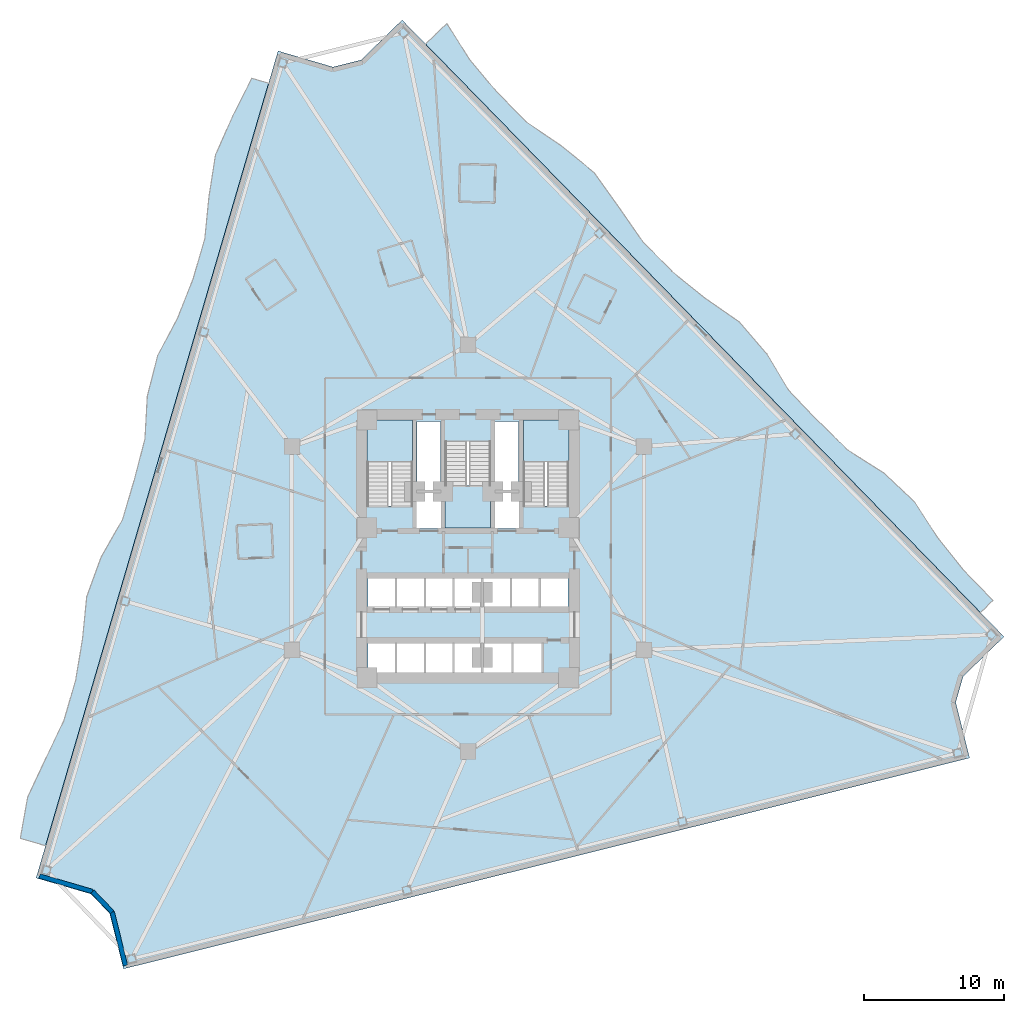
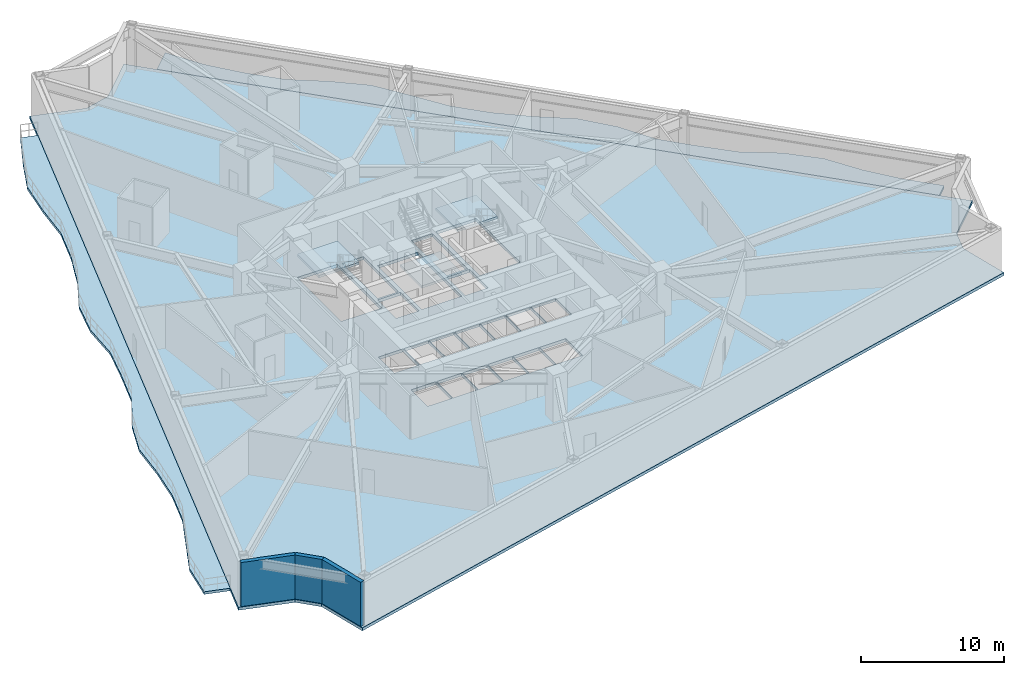
# One storey, part 2 of 9: 6 slabs, 3 walls, 3 elements without a shape of their own.
"""IFC4 building model written with IfcOpenShell, lengths in metres."""

from ifc_helpers import new_model, si_unit, direction, frame, frame_2d, origin, place, context, subcontext, project, spatial, polyline, rectangle, outline, extrude, material, layer, layer_set, type_object, element, aggregate, save


model = new_model("IFC4")

# Units and contexts
model_context = context("Model", 3, precision=1e-05, world=origin(), true_north=direction((0.0, 1.0)))
body_context = subcontext(model_context, "Body", "Model", "MODEL_VIEW")
ifc_project = project(units=[si_unit("LENGTHUNIT", "METRE"), si_unit("AREAUNIT", "SQUARE_METRE"), si_unit("VOLUMEUNIT", "CUBIC_METRE"), si_unit("PLANEANGLEUNIT", "RADIAN"), si_unit("MASSUNIT", "GRAM", prefix="KILO")], contexts=[model_context])

# Site, building, storey
site_placement = place(None, origin())
site = spatial("IfcSite", under=ifc_project, at=site_placement, CompositionType="ELEMENT")
building_placement = place(site_placement, origin())
building = spatial("IfcBuilding", under=site, at=building_placement, Name="Apsidion Concourse Tower", CompositionType="ELEMENT")
storey_placement = place(building_placement, frame((0.0, 0.0, 103.0)))
storey = spatial("IfcBuildingStorey", under=building, at=storey_placement, Name="L23", CompositionType="ELEMENT", Elevation=103.0)

# Slabs
ifc_material_1 = material(Name="Concrete C50/60", Category="concrete")
ifc_layer_1 = layer(ifc_material_1, 0.219970703125)
ifc_layer_set_1 = layer_set([ifc_layer_1], Name="Concrete C50/60")
slab_type_1 = type_object("IfcSlabType", Name="SL-BAL-220", PredefinedType="FLOOR", material=ifc_layer_set_1)
slab_1_placement = place(storey_placement, frame((0.0, 0.0, -0.219970703125)))
element("IfcSlab", 1, at=slab_1_placement, inside=storey, type_object=slab_type_1, Name="L23 Face 3 Rippling Balcony Slab", PredefinedType="FLOOR", context=body_context, shape_type="SweptSolid", body=[
    extrude(outline(polyline([(36.569091796875, -4.591064453125), (34.485595703125, -2.456298828125), (32.402099609375, -0.32177734375), (30.318603515625, 1.81298828125), (28.23486328125, 3.947509765625), (26.1513671875, 6.082275390625), (24.06787109375, 8.216796875), (21.984130859375, 10.3515625), (19.900634765625, 12.486083984375), (17.817138671875, 14.620849609375), (15.733642578125, 16.75537109375), (13.64990234375, 18.89013671875), (11.56640625, 21.024658203125), (9.48291015625, 23.159423828125), (7.3994140625, 25.2939453125), (5.31591796875, 27.4287109375), (3.232177734375, 29.563232421875), (1.148681640625, 31.697998046875), (-0.934814453125, 33.83251953125), (-3.018310546875, 35.96728515625), (-1.505615234375, 37.44384765625), (0.118408203125, 34.860595703125), (2.043212890625, 32.571044921875), (4.126708984375, 30.436279296875), (6.645263671875, 28.726318359375), (8.9716796875, 26.82861328125), (10.732177734375, 24.378662109375), (12.4609375, 21.897705078125), (14.54443359375, 19.76318359375), (16.873779296875, 17.868408203125), (19.365966796875, 16.132568359375), (21.32080078125, 13.872314453125), (22.8955078125, 11.240966796875), (24.96240234375, 9.090087890625), (27.096923828125, 7.00537109375), (29.681640625, 5.35986328125), (31.853759765625, 3.3115234375), (33.5048828125, 0.7548828125), (35.380126953125, -1.583251953125), (37.463623046875, -3.718017578125), (36.569091796875, -4.591064453125)])), origin(), (0.0, 0.0, 1.0), 0.219970703125),
])
slab_2_placement = place(storey_placement, frame((0.0, 0.0, -0.219970703125)))
element("IfcSlab", 2, at=slab_2_placement, inside=storey, type_object=slab_type_1, Name="L23 Face 1 Rippling Balcony Slab", PredefinedType="FLOOR", context=body_context, shape_type="SweptSolid", body=[
    extrude(outline(polyline([(-14.220458984375, 33.17431640625), (-15.05810546875, 30.311279296875), (-15.8955078125, 27.4482421875), (-16.73291015625, 24.58544921875), (-17.570556640625, 21.722412109375), (-18.407958984375, 18.859619140625), (-19.24560546875, 15.99658203125), (-20.0830078125, 13.133544921875), (-20.920654296875, 10.2705078125), (-21.758056640625, 7.40771484375), (-22.595703125, 4.544677734375), (-23.43310546875, 1.681884765625), (-24.2705078125, -1.18115234375), (-25.108154296875, -4.044189453125), (-25.94580078125, -6.906982421875), (-26.783203125, -9.77001953125), (-27.62060546875, -12.633056640625), (-28.458251953125, -15.495849609375), (-29.295654296875, -18.35888671875), (-30.13330078125, -21.2216796875), (-31.930908203125, -20.696044921875), (-31.402587890625, -17.742431640625), (-30.11767578125, -15.010498046875), (-28.8203125, -12.281982421875), (-27.98291015625, -9.419189453125), (-27.49169921875, -6.454833984375), (-27.19091796875, -3.434814453125), (-26.16259765625, -0.627685546875), (-24.64013671875, 2.034912109375), (-23.79541015625, 4.895751953125), (-23.042236328125, 7.783203125), (-22.872314453125, 10.841552734375), (-22.13525390625, 13.73388671875), (-20.7080078125, 16.42431640625), (-19.607666015625, 19.21044921875), (-18.770263671875, 22.073486328125), (-18.470947265625, 25.09375), (-18.0068359375, 28.06591796875), (-16.780517578125, 30.815185546875), (-15.420166015625, 33.525146484375), (-14.220458984375, 33.17431640625)])), origin(), (0.0, 0.0, 1.0), 0.219970703125),
])
ifc_layer_2 = layer(ifc_material_1, 0.25)
ifc_layer_set_2 = layer_set([ifc_layer_2], Name="Concrete C50/60")
slab_type_2 = type_object("IfcSlabType", Name="SL-FLR-250", PredefinedType="FLOOR", material=ifc_layer_set_2)
slab_3_placement = place(storey_placement, frame((0.0, 0.0, -0.25)))
element("IfcSlab", 3, at=slab_3_placement, inside=storey, type_object=slab_type_2, Name="L23 Structural Floor Slab", PredefinedType="FLOOR", context=body_context, shape_type="SweptSolid", body=[
    extrude(outline(polyline([(-4.69482421875, 37.684814453125), (-7.614013671875, 34.83544921875), (-9.63134765625, 34.33251953125), (-13.546630859375, 35.477783203125), (-30.80712890625, -23.525390625), (-26.891845703125, -24.670654296875), (-25.56103515625, -26.055908203125), (-24.57421875, -30.01416015625), (35.78857421875, -14.964111328125), (34.8017578125, -11.005859375), (35.326416015625, -9.15771484375), (38.24560546875, -6.30859375), (-4.69482421875, 37.684814453125)]), holes=[polyline([(-3.949951171875, 3.0), (-3.949951171875, 9.14990234375), (-7.199951171875, 9.14990234375), (-7.199951171875, 3.0), (-3.949951171875, 3.0)]), polyline([(7.199951171875, 3.0), (7.199951171875, 9.14990234375), (3.949951171875, 9.14990234375), (3.949951171875, 3.0), (7.199951171875, 3.0)]), polyline([(-1.625, 7.60009765625), (-1.625, 1.449951171875), (1.625, 1.449951171875), (1.625, 7.60009765625), (-1.625, 7.60009765625)]), polyline([(-7.14501953125, -4.300048828125), (-5.155029296875, -4.300048828125), (-5.155029296875, -2.050048828125), (-7.14501953125, -2.050048828125), (-7.14501953125, -4.300048828125)]), polyline([(-5.094970703125, -4.300048828125), (-3.10498046875, -4.300048828125), (-3.10498046875, -2.050048828125), (-5.094970703125, -2.050048828125), (-5.094970703125, -4.300048828125)]), polyline([(-3.044921875, -4.300048828125), (-1.054931640625, -4.300048828125), (-1.054931640625, -2.050048828125), (-3.044921875, -2.050048828125), (-3.044921875, -4.300048828125)]), polyline([(-0.9951171875, -4.300048828125), (0.9951171875, -4.300048828125), (0.9951171875, -2.050048828125), (-0.9951171875, -2.050048828125), (-0.9951171875, -4.300048828125)]), polyline([(1.054931640625, -4.300048828125), (3.044921875, -4.300048828125), (3.044921875, -2.050048828125), (1.054931640625, -2.050048828125), (1.054931640625, -4.300048828125)]), polyline([(3.10498046875, -4.300048828125), (5.094970703125, -4.300048828125), (5.094970703125, -2.050048828125), (3.10498046875, -2.050048828125), (3.10498046875, -4.300048828125)]), polyline([(5.155029296875, -4.300048828125), (7.14501953125, -4.300048828125), (7.14501953125, -2.050048828125), (5.155029296875, -2.050048828125), (5.155029296875, -4.300048828125)]), polyline([(-7.14501953125, -8.949951171875), (-5.155029296875, -8.949951171875), (-5.155029296875, -6.64990234375), (-7.14501953125, -6.64990234375), (-7.14501953125, -8.949951171875)]), polyline([(-5.094970703125, -8.949951171875), (-3.10498046875, -8.949951171875), (-3.10498046875, -6.64990234375), (-5.094970703125, -6.64990234375), (-5.094970703125, -8.949951171875)]), polyline([(-3.044921875, -8.949951171875), (-1.054931640625, -8.949951171875), (-1.054931640625, -6.64990234375), (-3.044921875, -6.64990234375), (-3.044921875, -8.949951171875)]), polyline([(-0.9951171875, -8.949951171875), (0.9951171875, -8.949951171875), (0.9951171875, -6.64990234375), (-0.9951171875, -6.64990234375), (-0.9951171875, -8.949951171875)]), polyline([(1.044921875, -9.0), (3.155029296875, -9.0), (3.155029296875, -6.64990234375), (1.044921875, -6.64990234375), (1.044921875, -9.0)]), polyline([(3.195068359375, -9.0), (5.304931640625, -9.0), (5.304931640625, -6.64990234375), (3.195068359375, -6.64990234375), (3.195068359375, -9.0)]), polyline([(-3.7099609375, 1.39990234375), (-1.85009765625, 1.39990234375), (-1.85009765625, 4.0), (-3.7099609375, 4.0), (-3.7099609375, 1.39990234375)]), polyline([(1.85009765625, 1.39990234375), (3.7099609375, 1.39990234375), (3.7099609375, 4.0), (1.85009765625, 4.0), (1.85009765625, 1.39990234375)]), polyline([(-3.6201171875, 4.14990234375), (-1.93994140625, 4.14990234375), (-1.93994140625, 9.050048828125), (-3.6201171875, 9.050048828125), (-3.6201171875, 4.14990234375)]), polyline([(1.93994140625, 4.14990234375), (3.6201171875, 4.14990234375), (3.6201171875, 9.050048828125), (1.93994140625, 9.050048828125), (1.93994140625, 4.14990234375)])]), origin(), (0.0, 0.0, 1.0), 0.25),
])

# Stair, slab
ifc_material_2 = material(Name="Precast concrete C40/50", Category="concrete")
stair_type = type_object("IfcStairType", Name="ST-DL-1550", PredefinedType="HALF_TURN_STAIR", material=ifc_material_2)
stair_1_placement = place(storey_placement, origin())
stair_1 = element("IfcStair", 4, at=stair_1_placement, inside=storey, type_object=stair_type, Name="L23 Protected Core Exit Stair ST1", PredefinedType="HALF_TURN_STAIR")
ifc_layer_3 = layer(ifc_material_1, 0.199951171875)
ifc_layer_set_3 = layer_set([ifc_layer_3], Name="Concrete C50/60")
slab_type_3 = type_object("IfcSlabType", Name="SL-ST-LAND-200", PredefinedType="LANDING", material=ifc_layer_set_3)
slab_4_placement = place(storey_placement, frame((0.0, 0.0, 1.800048828125)))
slab_4 = element("IfcSlab", 5, at=slab_4_placement, type_object=slab_type_3, Name="ST1 landing 1", PredefinedType="LANDING", context=body_context, shape_type="SweptSolid", body=[
    extrude(outline(polyline([(-3.949951171875, 6.135009765625), (-3.949951171875, 9.14990234375), (-7.199951171875, 9.14990234375), (-7.199951171875, 6.135009765625), (-3.949951171875, 6.135009765625)])), origin(), (0.0, 0.0, 1.0), 0.199951171875),
])
aggregate(stair_1, [slab_4])

stair_2_placement = place(storey_placement, origin())
stair_2 = element("IfcStair", 6, at=stair_2_placement, inside=storey, type_object=stair_type, Name="L23 Protected Core Exit Stair ST2", PredefinedType="HALF_TURN_STAIR")
slab_5_placement = place(storey_placement, frame((0.0, 0.0, 1.800048828125)))
slab_5 = element("IfcSlab", 7, at=slab_5_placement, type_object=slab_type_3, Name="ST2 landing 1", PredefinedType="LANDING", context=body_context, shape_type="SweptSolid", body=[
    extrude(outline(polyline([(7.199951171875, 6.135009765625), (7.199951171875, 9.14990234375), (3.949951171875, 9.14990234375), (3.949951171875, 6.135009765625), (7.199951171875, 6.135009765625)])), origin(), (0.0, 0.0, 1.0), 0.199951171875),
])
aggregate(stair_2, [slab_5])

stair_3_placement = place(storey_placement, origin())
stair_3 = element("IfcStair", 8, at=stair_3_placement, inside=storey, type_object=stair_type, Name="L23 Protected Core Exit Stair ST3", PredefinedType="HALF_TURN_STAIR")
slab_6_placement = place(storey_placement, frame((0.0, 0.0, 1.800048828125)))
slab_6 = element("IfcSlab", 9, at=slab_6_placement, type_object=slab_type_3, Name="ST3 landing 1", PredefinedType="LANDING", context=body_context, shape_type="SweptSolid", body=[
    extrude(outline(polyline([(-1.625, 4.465087890625), (-1.625, 1.449951171875), (1.625, 1.449951171875), (1.625, 4.465087890625), (-1.625, 4.465087890625)])), origin(), (0.0, 0.0, 1.0), 0.199951171875),
])
aggregate(stair_3, [slab_6])

# Walls
ifc_layer_4 = layer(ifc_material_2, 0.320068359375)
ifc_layer_set_4 = layer_set([ifc_layer_4], Name="Precast concrete C40/50")
wall_type = type_object("IfcWallType", Name="WL-EXT-320", PredefinedType="STANDARD", material=ifc_layer_set_4)
wall_1_placement = place(storey_placement, frame((-24.4287109375, -29.771728515625, 0.0), z_axis=(0.0, 0.0, 1.0), x_axis=(-0.241863642263, 0.970310248607, 0.0)))
element("IfcWall", 10, at=wall_1_placement, inside=storey, type_object=wall_type, Name="L23 Precast Stone Facade Wall 06", PredefinedType="STANDARD", context=body_context, shape_type="SweptSolid", body=[
    extrude(rectangle(XDim=3.9326171875, YDim=0.320068359375, at=frame_2d((1.96630859375, 0.0))), origin(), (0.0, 0.0, 1.0), 3.75),
])
wall_2_placement = place(storey_placement, frame((-25.3798828125, -25.955810546875, 0.0), z_axis=(0.0, 0.0, 1.0), x_axis=(-0.69281750058, 0.721112966802, 0.0)))
element("IfcWall", 11, at=wall_2_placement, inside=storey, type_object=wall_type, Name="L23 Precast Stone Facade Wall 07", PredefinedType="STANDARD", context=body_context, shape_type="SweptSolid", body=[
    extrude(rectangle(XDim=2.027587890625, YDim=0.320068359375, at=frame_2d((1.013671875, 0.0))), origin(), (0.0, 0.0, 1.0), 3.75),
])
wall_3_placement = place(storey_placement, frame((-26.78466796875, -24.49365234375, 0.0), z_axis=(0.0, 0.0, 1.0), x_axis=(-0.959768832583, 0.28079136027, 0.0)))
element("IfcWall", 12, at=wall_3_placement, inside=storey, type_object=wall_type, Name="L23 Precast Stone Facade Wall 08", PredefinedType="STANDARD", context=body_context, shape_type="SweptSolid", body=[
    extrude(rectangle(XDim=3.9326171875, YDim=0.320068359375, at=frame_2d((1.96630859375, 0.0))), origin(), (0.0, 0.0, 1.0), 3.75),
])

save(model, "model.ifc")
